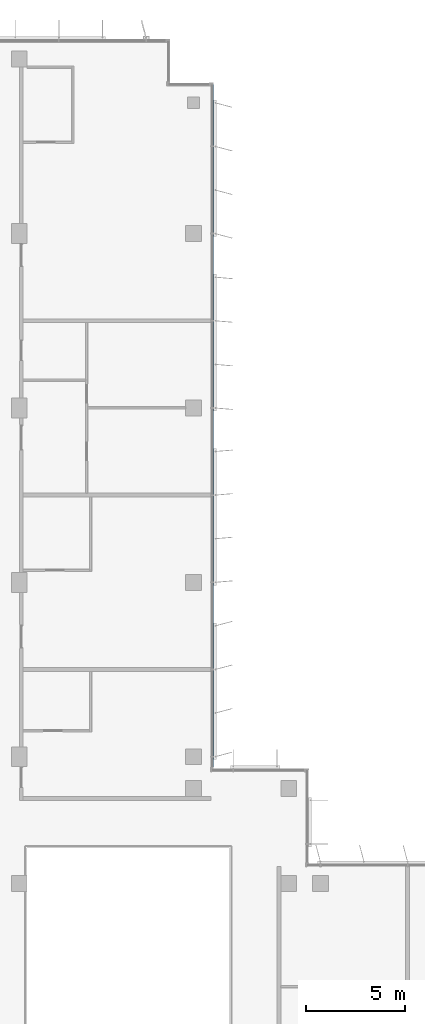
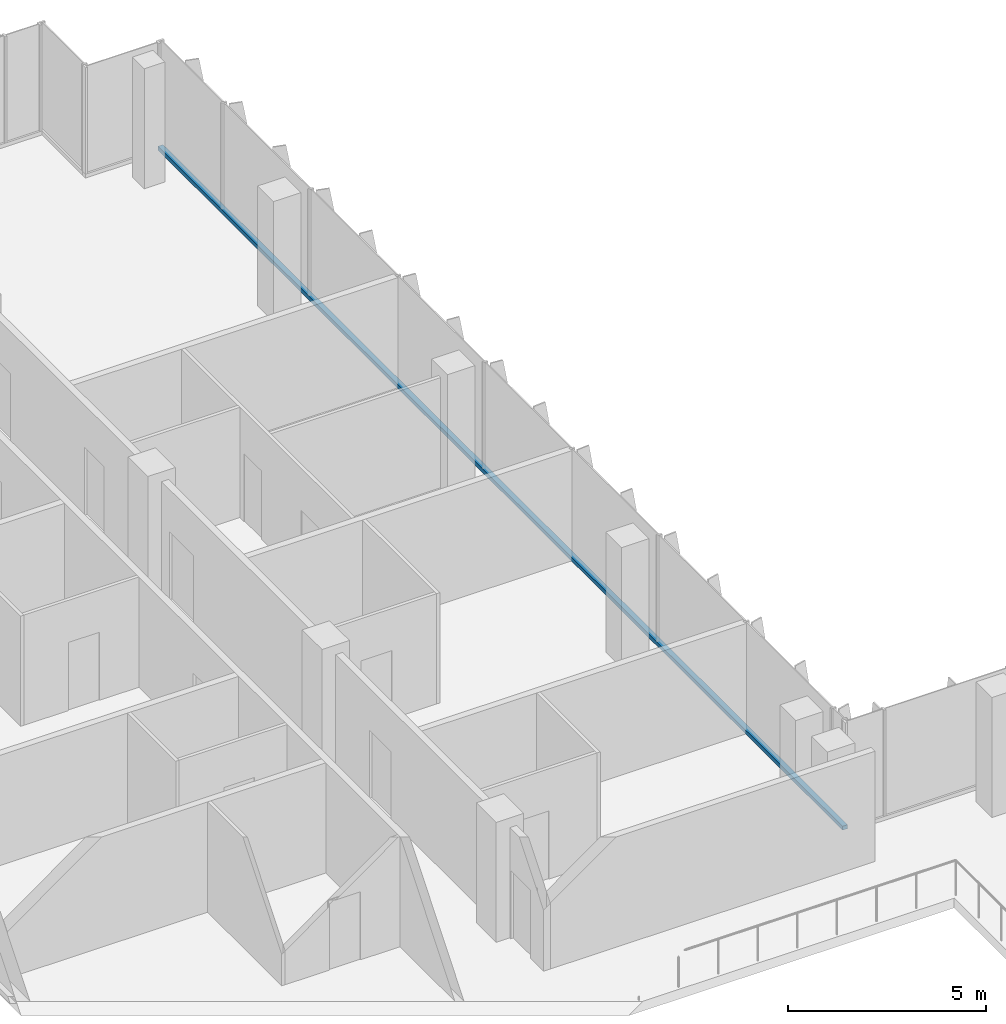
# One storey, part 5 of 15: 1 member, 1 element without a shape of its own.
"""IFC4 building model written with IfcOpenShell, lengths in metres."""

from ifc_helpers import new_model, si_unit, direction, frame, origin, origin_2d, place, context, subcontext, project, spatial, rectangle, extrude, material, material_profile, profile_set, type_object, element, aggregate, save


model = new_model("IFC4")

# Units and contexts
model_context = context("Model", 3, precision=1e-05, world=origin(), true_north=direction((0.0, 1.0)))
body_context = subcontext(model_context, "Body", "Model", "MODEL_VIEW")
ifc_project = project(units=[si_unit("LENGTHUNIT", "METRE"), si_unit("AREAUNIT", "SQUARE_METRE"), si_unit("VOLUMEUNIT", "CUBIC_METRE"), si_unit("PLANEANGLEUNIT", "RADIAN"), si_unit("MASSUNIT", "GRAM", prefix="KILO")], contexts=[model_context])

# Site, building, storey
site_placement = place(None, origin())
site = spatial("IfcSite", under=ifc_project, at=site_placement, CompositionType="ELEMENT")
building_placement = place(site_placement, origin())
building = spatial("IfcBuilding", under=site, at=building_placement, Name="Kemantara Hotel Tower", CompositionType="ELEMENT")
storey_placement = place(building_placement, frame((0.0, 0.0, 264.800048828125)))
storey = spatial("IfcBuildingStorey", under=building, at=storey_placement, Name="L66", CompositionType="ELEMENT", Elevation=264.800048828125)

# Curtain wall, member
ifc_material_1 = material(Name="Low-E tinted double insulated glass 36 mm", Category="glass")
curtain_wall_type = type_object("IfcCurtainWallType", Name="TOWER CURTAIN WALL, FRONT FACES", PredefinedType="USERDEFINED", material=ifc_material_1)
curtain_wall_placement = place(storey_placement, origin())
curtain_wall = element("IfcCurtainWall", 1, at=curtain_wall_placement, inside=storey, type_object=curtain_wall_type, Name="CW4 L66 T4-R15-1", ObjectType="TOWER CURTAIN WALL, FRONT FACES", PredefinedType="USERDEFINED")
ifc_material_2 = material(Name="Aluminium 6063-T6 bronze anodised", Category="aluminium")
ifc_material_profile = material_profile(ifc_material_2, rectangle(XDim=0.14990234375, YDim=0.1201171875, at=origin_2d()), Name="TOWER CURTAIN WALL, FRONT FACES TRANSOM")
ifc_profile_set = profile_set([ifc_material_profile], Name="Aluminium 6063-T6 bronze anodised")
member_type = type_object("IfcMemberType", Name="TOWER CURTAIN WALL, FRONT FACES TRANSOM", PredefinedType="USERDEFINED", material=ifc_profile_set)
member_placement = place(storey_placement, frame((21.925048828125, 26.800048828125, 0.06005859375), z_axis=(0.0, 1.0, 0.0), x_axis=(-1.0, 0.0, 0.0)))
member = element("IfcMember", 2, at=member_placement, type_object=member_type, Name="CW4 sill transom T4-R15-1", ObjectType="TRANSOM", PredefinedType="USERDEFINED", context=body_context, shape_type="SweptSolid", body=[
    extrude(rectangle(XDim=0.14990234375, YDim=0.1201171875, at=origin_2d()), origin(), (0.0, 0.0, 1.0), 34.599853515625),
])
aggregate(curtain_wall, [member])

save(model, "model.ifc")
